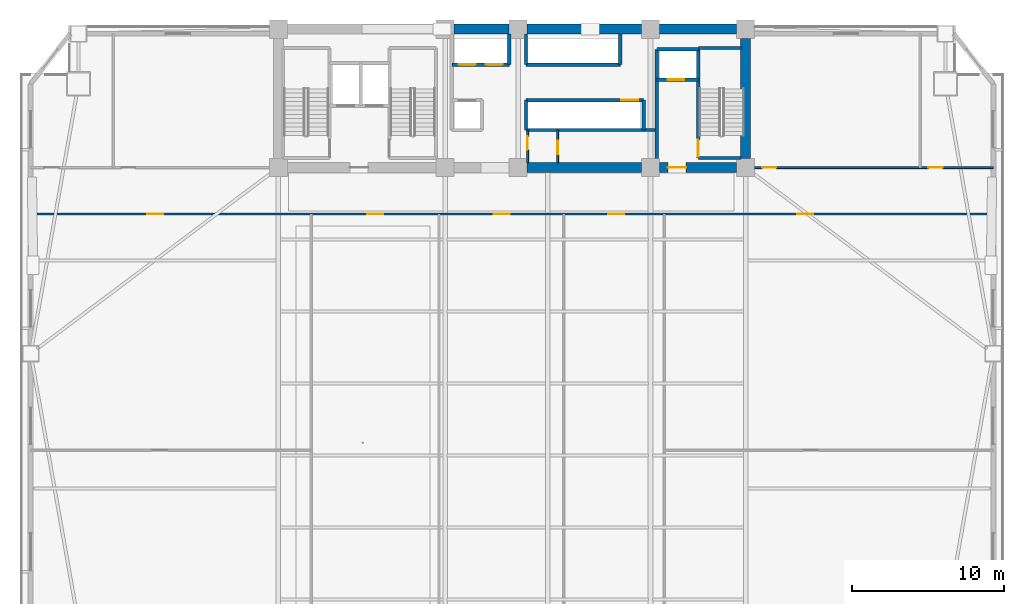
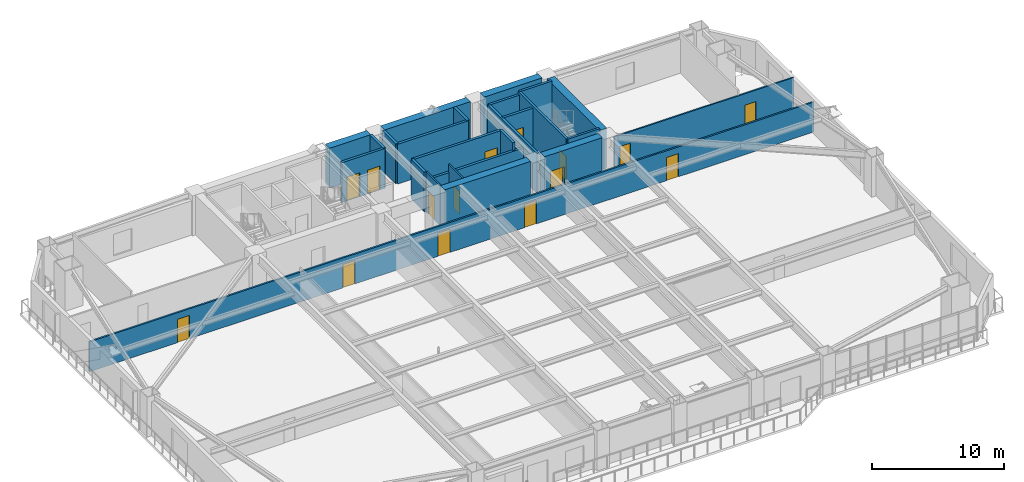
# One storey, part 10 of 17: 25 walls, 15 doors, 15 openings.
"""IFC4 building model written with IfcOpenShell, lengths in metres."""

import ifcopenshell
import ifcopenshell.guid

model = None  # the IFC model being written
_history = None  # IfcOwnerHistory: only IFC2X3 demands one
_inside = {}  # id of a spatial element -> (the spatial element, [elements in it])
_under = {}  # id of a project, library or spatial element -> (it, [spatial elements below it])
_declared = {}  # id of a project -> (the project, [libraries it declares])
_typed = {}  # id of a type object -> (the type object, [elements of that type])
_made_of = {}  # id of a material, layer set ... -> (it, [elements and type objects made of it])


def new_model(schema):
    """Start an empty IFC model of exactly this schema.

    Asked for "IFC4X3", IfcOpenShell would pick the latest addendum, in which some entities
    have other attributes; the version numbers below select the first issue.
    IFC2X3 requires an IfcOwnerHistory on every rooted entity: one is made here for all.
    """
    global model, _history
    if schema == "IFC4X3":
        model = ifcopenshell.file(schema_version=(4, 3, 0, 0))
    else:
        model = ifcopenshell.file(schema=schema)
    _inside.clear()
    _under.clear()
    _declared.clear()
    _typed.clear()
    _made_of.clear()
    _history = None
    if model.schema == "IFC2X3":
        org = make("IfcOrganization", Name="unknown")
        user = make(
            "IfcPersonAndOrganization",
            ThePerson=make("IfcPerson", FamilyName="unknown"),
            TheOrganization=org,
        )
        app = make(
            "IfcApplication",
            ApplicationDeveloper=org,
            Version="unknown",
            ApplicationFullName="unknown",
            ApplicationIdentifier="unknown",
        )
        _history = make(
            "IfcOwnerHistory",
            OwningUser=user,
            OwningApplication=app,
            ChangeAction="ADDED",
            CreationDate=0,
        )
    return model


def make(cls, **values):
    """One entity of the class cls with the attributes given. An attribute that is None is left unset."""
    return model.create_entity(
        cls, **{name: value for name, value in values.items() if value is not None}
    )


def rooted(cls, **values):
    """An entity with a GlobalId (a new one), such as an element, a storey or a relation."""
    return make(cls, GlobalId=ifcopenshell.guid.new(), OwnerHistory=_history, **values)


def si_unit(unit_type, name, prefix=None):
    """IfcSIUnit, for example si_unit("LENGTHUNIT", "METRE", prefix="MILLI")."""
    return make("IfcSIUnit", UnitType=unit_type, Prefix=prefix, Name=name)


def assignment(units):
    """IfcUnitAssignment: the units of a project."""
    return None if units is None else make("IfcUnitAssignment", Units=units)


def point(xyz):
    """IfcCartesianPoint."""
    return None if xyz is None else make("IfcCartesianPoint", Coordinates=xyz)


def direction(xyz):
    """IfcDirection."""
    return None if xyz is None else make("IfcDirection", DirectionRatios=xyz)


def frame(location, z_axis=None, x_axis=None):
    """IfcAxis2Placement3D, a coordinate frame: its origin and axes. An axis left out is left unset."""
    return make(
        "IfcAxis2Placement3D",
        Location=point(location),
        Axis=direction(z_axis),
        RefDirection=direction(x_axis),
    )


def frame_2d(location, x_axis=None):
    """IfcAxis2Placement2D, a coordinate frame in the plane: its origin and x axis."""
    return make(
        "IfcAxis2Placement2D", Location=point(location), RefDirection=direction(x_axis)
    )


def origin():
    """The frame at (0, 0, 0) with its axes left unset."""
    return frame((0.0, 0.0, 0.0))


def place(relative_to, where):
    """IfcLocalPlacement: puts the frame where relative to a parent placement (None: the world)."""
    return make(
        "IfcLocalPlacement", PlacementRelTo=relative_to, RelativePlacement=where
    )


def context(
    kind, dimensions, precision=None, world=None, true_north=None, identifier=None
):
    """IfcGeometricRepresentationContext, for example the 3D "Model" context."""
    return make(
        "IfcGeometricRepresentationContext",
        ContextIdentifier=identifier,
        ContextType=kind,
        CoordinateSpaceDimension=dimensions,
        Precision=precision,
        WorldCoordinateSystem=world,
        TrueNorth=true_north,
    )


def subcontext(parent, identifier, kind, view, scale=None):
    """IfcGeometricRepresentationSubContext, for example "Body" below "Model"."""
    return make(
        "IfcGeometricRepresentationSubContext",
        ContextIdentifier=identifier,
        ContextType=kind,
        ParentContext=parent,
        TargetScale=scale,
        TargetView=view,
    )


def project(units=None, contexts=None):
    """IfcProject with its units and contexts."""
    return rooted(
        "IfcProject",
        Name="project",
        RepresentationContexts=contexts,
        UnitsInContext=assignment(units),
    )


def spatial(cls, under=None, at=None, **own):
    """A site, building, storey or space (cls), placed at a placement, below another one or the project."""
    s = rooted(cls, ObjectPlacement=at, **own)
    if under is not None:
        _under.setdefault(under.id(), (under, []))[1].append(s)
    return s


def profile(cls, at=None, kind="AREA", **sizes):
    """A parametric profile (cls). Its sizes go by their IFC names, for example OverallWidth=200.0."""
    return make(cls, ProfileType=kind, Position=at, **sizes)


def rectangle(**sizes):
    """IfcRectangleProfileDef."""
    return profile("IfcRectangleProfileDef", **sizes)


def extrude(swept, where, along, depth):
    """IfcExtrudedAreaSolid: the profile swept, set in the frame where, extruded along a direction by depth."""
    return make(
        "IfcExtrudedAreaSolid",
        SweptArea=swept,
        Position=where,
        ExtrudedDirection=direction(along),
        Depth=depth,
    )


def shape(context_of_items, identifier, shape_type, items):
    """IfcShapeRepresentation: the items that make up one representation, for example the "Body"."""
    return make(
        "IfcShapeRepresentation",
        ContextOfItems=context_of_items,
        RepresentationIdentifier=identifier,
        RepresentationType=shape_type,
        Items=items,
    )


def source(mapping_origin, context_of_items, identifier, shape_type, items):
    """IfcRepresentationMap: a shape defined once, which mapped items show again and again."""
    return make(
        "IfcRepresentationMap",
        MappingOrigin=mapping_origin,
        MappedRepresentation=shape(context_of_items, identifier, shape_type, items),
    )


def transform(
    local_origin,
    x_axis=None,
    y_axis=None,
    z_axis=None,
    scale=None,
    scale2=None,
    scale3=None,
    uniform=True,
):
    """IfcCartesianTransformationOperator3D, or its non-uniform kind. x_axis, y_axis, z_axis: its Axis1, 2, 3."""
    if uniform:
        return make(
            "IfcCartesianTransformationOperator3D",
            Axis1=direction(x_axis),
            Axis2=direction(y_axis),
            LocalOrigin=point(local_origin),
            Scale=scale,
            Axis3=direction(z_axis),
        )
    return make(
        "IfcCartesianTransformationOperator3DnonUniform",
        Axis1=direction(x_axis),
        Axis2=direction(y_axis),
        LocalOrigin=point(local_origin),
        Scale=scale,
        Axis3=direction(z_axis),
        Scale2=scale2,
        Scale3=scale3,
    )


def mapped(mapping_source, mapping_target):
    """IfcMappedItem: shows the shape of a source again, moved by a transform."""
    return make(
        "IfcMappedItem", MappingSource=mapping_source, MappingTarget=mapping_target
    )


def material(Name=None, Category=None):
    """IfcMaterial."""
    return make("IfcMaterial", Name=Name, Category=Category)


def layer(
    of_material, thickness, ventilated=None, Name=None, Category=None, Priority=None
):
    """IfcMaterialLayer: one layer of a wall or slab, of a material (None: an air gap)."""
    return make(
        "IfcMaterialLayer",
        Material=of_material,
        LayerThickness=thickness,
        IsVentilated=ventilated,
        Name=Name,
        Category=Category,
        Priority=Priority,
    )


def layer_set(layers, Name=None):
    """IfcMaterialLayerSet."""
    return make("IfcMaterialLayerSet", MaterialLayers=layers, LayerSetName=Name)


def made_of(thing, what):
    """Note that an element or type object is made of a material, layer set ...; save() writes the relation."""
    if what is not None:
        _made_of.setdefault(what.id(), (what, []))[1].append(thing)
    return thing


def type_object(cls, material=None, **own):
    """A type object (cls), such as IfcWallType, which elements share."""
    return made_of(rooted(cls, **own), material)


def element(
    cls,
    number,
    at=None,
    inside=None,
    cuts=None,
    type_object=None,
    material=None,
    context=None,
    identifier="Body",
    shape_type=None,
    held_by="IfcProductDefinitionShape",
    body=None,
    shapes=None,
    **own,
):
    """One element of the class cls, such as IfcWall. Its Tag is "e" and its number.

    at: its placement. inside: the storey or other place that contains it. cuts: it is an
    opening in that element (IfcRelVoidsElement). A single representation is given by context,
    identifier, shape_type and body (its items); several are given by shapes. held_by: the class
    of the entity that holds the representations. save() writes the other relations.
    """
    e = rooted(cls, Tag="e%d" % number, ObjectPlacement=at, **own)
    if body is not None:
        shapes = [shape(context, identifier, shape_type, body)]
    if shapes is not None:
        e.Representation = make(held_by, Representations=shapes)
    if inside is not None:
        _inside.setdefault(inside.id(), (inside, []))[1].append(e)
    if cuts is not None:
        rooted(
            "IfcRelVoidsElement", RelatingBuildingElement=cuts, RelatedOpeningElement=e
        )
    if type_object is not None:
        _typed.setdefault(type_object.id(), (type_object, []))[1].append(e)
    return made_of(e, material)


def fill(opening, filler):
    """IfcRelFillsElement: the door or window that sits in an opening."""
    return rooted(
        "IfcRelFillsElement",
        RelatingOpeningElement=opening,
        RelatedBuildingElement=filler,
    )


def aggregate(whole, parts):
    """IfcRelAggregates: a whole, such as a stair, and the parts it consists of."""
    return rooted("IfcRelAggregates", RelatingObject=whole, RelatedObjects=parts)


def save(model, path):
    """Write the relations noted so far, then the file.

    IfcRelAggregates (storeys below a building ...), IfcRelContainedInSpatialStructure (elements
    in a storey), IfcRelDefinesByType, IfcRelAssociatesMaterial and IfcRelDeclares: one each for
    every whole, place, type object, material and project.
    """
    for whole, parts in _under.values():
        aggregate(whole, parts)
    for where, things in _inside.values():
        rooted(
            "IfcRelContainedInSpatialStructure",
            RelatedElements=things,
            RelatingStructure=where,
        )
    for kind, things in _typed.values():
        rooted("IfcRelDefinesByType", RelatedObjects=things, RelatingType=kind)
    for what, things in _made_of.values():
        rooted("IfcRelAssociatesMaterial", RelatedObjects=things, RelatingMaterial=what)
    for by, libraries in _declared.values():
        rooted("IfcRelDeclares", RelatingContext=by, RelatedDefinitions=libraries)
    model.write(path)


model = new_model("IFC4")

# Units and contexts
model_context = context("Model", 3, precision=1e-05, world=origin(), true_north=direction((0.0, 1.0)))
body_context = subcontext(model_context, "Body", "Model", "MODEL_VIEW")
ifc_project = project(units=[si_unit("LENGTHUNIT", "METRE"), si_unit("AREAUNIT", "SQUARE_METRE"), si_unit("VOLUMEUNIT", "CUBIC_METRE"), si_unit("PLANEANGLEUNIT", "RADIAN"), si_unit("MASSUNIT", "GRAM", prefix="KILO")], contexts=[model_context])

# Site, building, storey
site_placement = place(None, origin())
site = spatial("IfcSite", under=ifc_project, at=site_placement, CompositionType="ELEMENT")
building_placement = place(site_placement, origin())
building = spatial("IfcBuilding", under=site, at=building_placement, Name="Giltprow Tower", CompositionType="ELEMENT")
storey_placement = place(building_placement, frame((0.0, 0.0, 53.300048828125)))
storey = spatial("IfcBuildingStorey", under=building, at=storey_placement, Name="L13", CompositionType="ELEMENT", Elevation=53.300048828125)

# Wall, openings, doors
ifc_material_1 = material(Name="Gypsum stud partition", Category="gypsum")
ifc_layer_1 = layer(ifc_material_1, 0.14990234375, Name="Gypsum stud partition")
ifc_layer_set_1 = layer_set([ifc_layer_1], Name="Gypsum stud partition")
wall_type_1 = type_object("IfcWallType", Name="IW-CORR-150", PredefinedType="PARTITIONING", material=ifc_layer_set_1)
wall_1_placement = place(storey_placement, frame((3.570068359375, 34.39990234375, 0.0), z_axis=(0.0, 0.0, 1.0), x_axis=(1.0, 0.0, 0.0)))
wall_1 = element("IfcWall", 1, at=wall_1_placement, inside=storey, type_object=wall_type_1, Name="L13 Office Loop Corridor Wall", PredefinedType="PARTITIONING", context=body_context, shape_type="SweptSolid", body=[
    extrude(rectangle(XDim=63.260009765625, YDim=0.14990234375, at=frame_2d((31.6298828125, 0.0))), origin(), (0.0, 0.0, 1.0), 2.764892578125),
])
opening_1_placement = place(wall_1_placement, frame((7.657958984375, 0.0, 0.0)))
opening_1 = element("IfcOpeningElement", 2, at=opening_1_placement, cuts=wall_1, Name="Opening ID31", PredefinedType="OPENING", context=body_context, shape_type="SweptSolid", body=[
    extrude(rectangle(XDim=1.050048828125, YDim=2.14990234375, at=frame_2d((0.52490234375, 1.074951171875))), frame((0.0, 0.0849609375, 0.0), z_axis=(0.0, -1.0, 0.0), x_axis=(1.0, 0.0, 0.0)), (0.0, 0.0, 1.0), 0.169921875),
])
opening_2_placement = place(wall_1_placement, frame((22.12109375, 0.0, 0.0)))
opening_2 = element("IfcOpeningElement", 3, at=opening_2_placement, cuts=wall_1, Name="Opening ID31", PredefinedType="OPENING", context=body_context, shape_type="SweptSolid", body=[
    extrude(rectangle(XDim=1.050048828125, YDim=2.14990234375, at=frame_2d((0.52490234375, 1.074951171875))), frame((0.0, 0.0849609375, 0.0), z_axis=(0.0, -1.0, 0.0), x_axis=(1.0, 0.0, 0.0)), (0.0, 0.0, 1.0), 0.169921875),
])
opening_3_placement = place(wall_1_placement, frame((30.43701171875, 0.0, 0.0)))
opening_3 = element("IfcOpeningElement", 4, at=opening_3_placement, cuts=wall_1, Name="Opening ID31", PredefinedType="OPENING", context=body_context, shape_type="SweptSolid", body=[
    extrude(rectangle(XDim=1.050048828125, YDim=2.14990234375, at=frame_2d((0.52490234375, 1.074951171875))), frame((0.0, 0.0849609375, 0.0), z_axis=(0.0, -1.0, 0.0), x_axis=(1.0, 0.0, 0.0)), (0.0, 0.0, 1.0), 0.169921875),
])
opening_4_placement = place(wall_1_placement, frame((37.965087890625, 0.0, 0.0)))
opening_4 = element("IfcOpeningElement", 5, at=opening_4_placement, cuts=wall_1, Name="Opening ID31", PredefinedType="OPENING", context=body_context, shape_type="SweptSolid", body=[
    extrude(rectangle(XDim=1.050048828125, YDim=2.14990234375, at=frame_2d((0.52490234375, 1.074951171875))), frame((0.0, 0.0849609375, 0.0), z_axis=(0.0, -1.0, 0.0), x_axis=(1.0, 0.0, 0.0)), (0.0, 0.0, 1.0), 0.169921875),
])
opening_5_placement = place(wall_1_placement, frame((50.367919921875, 0.0, 0.0)))
opening_5 = element("IfcOpeningElement", 6, at=opening_5_placement, cuts=wall_1, Name="Opening ID31", PredefinedType="OPENING", context=body_context, shape_type="SweptSolid", body=[
    extrude(rectangle(XDim=1.050048828125, YDim=2.14990234375, at=frame_2d((0.52490234375, 1.074951171875))), frame((0.0, 0.0849609375, 0.0), z_axis=(0.0, -1.0, 0.0), x_axis=(1.0, 0.0, 0.0)), (0.0, 0.0, 1.0), 0.169921875),
])
ifc_material_2 = material(Name="Engineered timber", Category="wood")
door_type_1 = type_object("IfcDoorType", Name="DR-SUITE-1050", OperationType="SINGLE_SWING_LEFT", PredefinedType="DOOR", material=ifc_material_2)
shared_shape_1 = source(origin(), body_context, "Body", "SweptSolid", [
    extrude(rectangle(XDim=1.050048828125, YDim=2.14990234375, at=frame_2d((0.52490234375, 1.074951171875))), frame((0.0, 0.02490234375, 0.0), z_axis=(0.0, -1.0, 0.0), x_axis=(1.0, 0.0, 0.0)), (0.0, 0.0, 1.0), 0.050048828125),
])
door_1_placement = place(opening_1_placement, origin())
door_1 = element("IfcDoor", 7, at=door_1_placement, inside=storey, type_object=door_type_1, Name="L13 Suite Reception Foyer Door", OperationType="SINGLE_SWING_LEFT", OverallHeight=2.14990234375, OverallWidth=1.050048828125, PredefinedType="DOOR", context=body_context, shape_type="MappedRepresentation", body=[
    mapped(shared_shape_1, transform((0.0, 0.0, 0.0), x_axis=(1.0, 0.0, 0.0), y_axis=(0.0, 1.0, 0.0), z_axis=(0.0, 0.0, 1.0), scale=1.0)),
])
fill(opening_1, door_1)
door_2_placement = place(opening_2_placement, origin())
door_2 = element("IfcDoor", 8, at=door_2_placement, inside=storey, type_object=door_type_1, Name="L13 Brand Gallery Shop 2 Door", OperationType="SINGLE_SWING_LEFT", OverallHeight=2.14990234375, OverallWidth=1.050048828125, PredefinedType="DOOR", context=body_context, shape_type="MappedRepresentation", body=[
    mapped(shared_shape_1, transform((0.0, 0.0, 0.0), x_axis=(1.0, 0.0, 0.0), y_axis=(0.0, 1.0, 0.0), z_axis=(0.0, 0.0, 1.0), scale=1.0)),
])
fill(opening_2, door_2)
door_3_placement = place(opening_3_placement, origin())
door_3 = element("IfcDoor", 9, at=door_3_placement, inside=storey, type_object=door_type_1, Name="L13 Watches Boutique Shop 3 Door", OperationType="SINGLE_SWING_RIGHT", OverallHeight=2.14990234375, OverallWidth=1.050048828125, PredefinedType="DOOR", context=body_context, shape_type="MappedRepresentation", body=[
    mapped(shared_shape_1, transform((0.0, 0.0, 0.0), x_axis=(1.0, 0.0, 0.0), y_axis=(0.0, 1.0, 0.0), z_axis=(0.0, 0.0, 1.0), scale=1.0)),
])
fill(opening_3, door_3)
door_4_placement = place(opening_4_placement, origin())
door_4 = element("IfcDoor", 10, at=door_4_placement, inside=storey, type_object=door_type_1, Name="L13 Apparel Showroom Shop 4 Door", OperationType="SINGLE_SWING_LEFT", OverallHeight=2.14990234375, OverallWidth=1.050048828125, PredefinedType="DOOR", context=body_context, shape_type="MappedRepresentation", body=[
    mapped(shared_shape_1, transform((0.0, 0.0, 0.0), x_axis=(1.0, 0.0, 0.0), y_axis=(0.0, 1.0, 0.0), z_axis=(0.0, 0.0, 1.0), scale=1.0)),
])
fill(opening_4, door_4)
door_5_placement = place(opening_5_placement, origin())
door_5 = element("IfcDoor", 11, at=door_5_placement, inside=storey, type_object=door_type_1, Name="L13 Suite Reception Foyer Door", OperationType="SINGLE_SWING_RIGHT", OverallHeight=2.14990234375, OverallWidth=1.050048828125, PredefinedType="DOOR", context=body_context, shape_type="MappedRepresentation", body=[
    mapped(shared_shape_1, transform((0.0, 0.0, 0.0), x_axis=(1.0, 0.0, 0.0), y_axis=(0.0, 1.0, 0.0), z_axis=(0.0, 0.0, 1.0), scale=1.0)),
])
fill(opening_5, door_5)

# Wall, opening, door
ifc_material_3 = material(Name="Concrete C40", Category="concrete")
ifc_layer_2 = layer(ifc_material_3, 0.219970703125, Name="Concrete C40")
ifc_layer_set_2 = layer_set([ifc_layer_2], Name="Concrete C40")
wall_type_2 = type_object("IfcWallType", Name="IW-SHAFT-220", PredefinedType="SOLIDWALL", material=ifc_layer_set_2)
wall_2_placement = place(storey_placement, frame((44.719970703125, 43.219970703125, 0.0), z_axis=(0.0, 0.0, 1.0), x_axis=(1.0, 0.0, 0.0)))
wall_2 = element("IfcWall", 12, at=wall_2_placement, inside=storey, type_object=wall_type_2, Name="L13 FFL2 Front Shaft Wall", PredefinedType="SOLIDWALL", context=body_context, shape_type="SweptSolid", body=[
    extrude(rectangle(XDim=2.719970703125, YDim=0.219970703125, at=frame_2d((1.35986328125, 0.0))), origin(), (0.0, 0.0, 1.0), 3.679931640625),
])
opening_6_placement = place(wall_2_placement, frame((0.699951171875, 0.0, 0.0)))
opening_6 = element("IfcOpeningElement", 13, at=opening_6_placement, cuts=wall_2, Name="Opening LD-11", PredefinedType="OPENING", context=body_context, shape_type="SweptSolid", body=[
    extrude(rectangle(XDim=1.10009765625, YDim=2.199951171875, at=frame_2d((0.550048828125, 1.10009765625))), frame((0.0, 0.119873046875, 0.0), z_axis=(0.0, -1.0, 0.0), x_axis=(1.0, 0.0, 0.0)), (0.0, 0.0, 1.0), 0.239990234375),
])
ifc_material_4 = material(Name="Stainless steel", Category="steel")
door_type_2 = type_object("IfcDoorType", Name="DR-LIFT-LD1100", OperationType="SLIDING_TO_LEFT", PredefinedType="DOOR", material=ifc_material_4)
shared_shape_2 = source(origin(), body_context, "Body", "SweptSolid", [
    extrude(rectangle(XDim=1.10009765625, YDim=2.199951171875, at=frame_2d((0.550048828125, 1.10009765625))), frame((0.0, 0.02490234375, 0.0), z_axis=(0.0, -1.0, 0.0), x_axis=(1.0, 0.0, 0.0)), (0.0, 0.0, 1.0), 0.050048828125),
])
door_6_placement = place(opening_6_placement, origin())
door_6 = element("IfcDoor", 14, at=door_6_placement, inside=storey, type_object=door_type_2, Name="L13 FFL2 Landing Door", OperationType="SLIDING_TO_LEFT", OverallHeight=2.199951171875, OverallWidth=1.10009765625, PredefinedType="DOOR", context=body_context, shape_type="MappedRepresentation", body=[
    mapped(shared_shape_2, transform((0.0, 0.0, 0.0), x_axis=(1.0, 0.0, 0.0), y_axis=(0.0, 1.0, 0.0), z_axis=(0.0, 0.0, 1.0), scale=1.0)),
])
fill(opening_6, door_6)

# Walls
wall_3_placement = place(storey_placement, frame((44.719970703125, 45.219970703125, 0.0), z_axis=(0.0, 0.0, 1.0), x_axis=(1.0, 0.0, 0.0)))
element("IfcWall", 15, at=wall_3_placement, inside=storey, type_object=wall_type_2, Name="L13 FFL2 Back Shaft Wall", PredefinedType="SOLIDWALL", context=body_context, shape_type="SweptSolid", body=[
    extrude(rectangle(XDim=2.719970703125, YDim=0.219970703125, at=frame_2d((1.35986328125, 0.0))), origin(), (0.0, 0.0, 1.0), 3.679931640625),
])
wall_4_placement = place(storey_placement, frame((44.719970703125, 37.7548828125, 0.0), z_axis=(0.0, 0.0, 1.0), x_axis=(0.0, 1.0, 0.0)))
element("IfcWall", 16, at=wall_4_placement, inside=storey, type_object=wall_type_2, Name="L13 East Firefighting Lobby West Wall", PredefinedType="SOLIDWALL", context=body_context, shape_type="SweptSolid", body=[
    extrude(rectangle(XDim=7.465087890625, YDim=0.219970703125, at=frame_2d((3.732421875, 0.0))), origin(), (0.0, 0.0, 1.0), 3.679931640625),
])

# Wall, openings, doors
wall_5_placement = place(storey_placement, frame((31.25, 44.219970703125, 0.0), z_axis=(0.0, 0.0, 1.0), x_axis=(1.0, 0.0, 0.0)))
wall_5 = element("IfcWall", 17, at=wall_5_placement, inside=storey, type_object=wall_type_2, Name="L13 North West Lift Shaft Front Wall", PredefinedType="SOLIDWALL", context=body_context, shape_type="SweptSolid", body=[
    extrude(rectangle(XDim=3.77001953125, YDim=0.219970703125, at=frame_2d((1.885009765625, 0.0))), origin(), (0.0, 0.0, 1.0), 3.679931640625),
])
opening_7_placement = place(wall_5_placement, frame((0.4599609375, 0.0, 0.0)))
opening_7 = element("IfcOpeningElement", 18, at=opening_7_placement, cuts=wall_5, Name="Opening LD-11", PredefinedType="OPENING", context=body_context, shape_type="SweptSolid", body=[
    extrude(rectangle(XDim=1.10009765625, YDim=2.199951171875, at=frame_2d((0.550048828125, 1.10009765625))), frame((0.0, 0.119873046875, 0.0), z_axis=(0.0, -1.0, 0.0), x_axis=(1.0, 0.0, 0.0)), (0.0, 0.0, 1.0), 0.239990234375),
])
opening_8_placement = place(wall_5_placement, frame((2.239990234375, 0.0, 0.0)))
opening_8 = element("IfcOpeningElement", 19, at=opening_8_placement, cuts=wall_5, Name="Opening LD-11", PredefinedType="OPENING", context=body_context, shape_type="SweptSolid", body=[
    extrude(rectangle(XDim=1.10009765625, YDim=2.199951171875, at=frame_2d((0.550048828125, 1.10009765625))), frame((0.0, 0.119873046875, 0.0), z_axis=(0.0, -1.0, 0.0), x_axis=(1.0, 0.0, 0.0)), (0.0, 0.0, 1.0), 0.239990234375),
])
door_7_placement = place(opening_7_placement, origin())
door_7 = element("IfcDoor", 20, at=door_7_placement, inside=storey, type_object=door_type_2, Name="L13 PL-L1 Landing Door", OperationType="SLIDING_TO_LEFT", OverallHeight=2.199951171875, OverallWidth=1.10009765625, PredefinedType="DOOR", context=body_context, shape_type="MappedRepresentation", body=[
    mapped(shared_shape_2, transform((0.0, 0.0, 0.0), x_axis=(1.0, 0.0, 0.0), y_axis=(0.0, 1.0, 0.0), z_axis=(0.0, 0.0, 1.0), scale=1.0)),
])
fill(opening_7, door_7)
door_8_placement = place(opening_8_placement, origin())
door_8 = element("IfcDoor", 21, at=door_8_placement, inside=storey, type_object=door_type_2, Name="L13 PL-L2 Landing Door", OperationType="SLIDING_TO_LEFT", OverallHeight=2.199951171875, OverallWidth=1.10009765625, PredefinedType="DOOR", context=body_context, shape_type="MappedRepresentation", body=[
    mapped(shared_shape_2, transform((0.0, 0.0, 0.0), x_axis=(1.0, 0.0, 0.0), y_axis=(0.0, 1.0, 0.0), z_axis=(0.0, 0.0, 1.0), scale=1.0)),
])
fill(opening_8, door_8)

# Walls
wall_6_placement = place(storey_placement, frame((36.1201171875, 44.219970703125, 0.0), z_axis=(0.0, 0.0, 1.0), x_axis=(1.0, 0.0, 0.0)))
element("IfcWall", 22, at=wall_6_placement, inside=storey, type_object=wall_type_2, Name="L13 North East Lift Shaft Front Wall", PredefinedType="SOLIDWALL", context=body_context, shape_type="SweptSolid", body=[
    extrude(rectangle(XDim=6.199951171875, YDim=0.219970703125, at=frame_2d((3.10009765625, 0.0))), origin(), (0.0, 0.0, 1.0), 3.679931640625),
])
for number, where, z_axis, x_axis, name in (
    (23, (35.02001953125, 44.219970703125, 0.0), (0.0, 0.0, 1.0), (0.0, 1.0, 0.0), "L13 North West Lift Shaft East Closure"),
    (24, (36.1201171875, 44.219970703125, 0.0), (0.0, 0.0, 1.0), (0.0, 1.0, 0.0), "L13 North East Lift Shaft West Closure"),
    (25, (42.320068359375, 44.219970703125, 0.0), (0.0, 0.0, 1.0), (0.0, 1.0, 0.0), "L13 North East Lift Shaft East Closure"),
):
    element("IfcWall", number, at=place(storey_placement, frame(where, z_axis=z_axis, x_axis=x_axis)), inside=storey, type_object=wall_type_2, Name=name, PredefinedType="SOLIDWALL", context=body_context, shape_type="SweptSolid", body=[
        extrude(rectangle(XDim=2.025146484375, YDim=0.219970703125, at=frame_2d((1.0126953125, 0.0))), origin(), (0.0, 0.0, 1.0), 3.679931640625),
    ])

# Wall, opening, door
wall_7_placement = place(storey_placement, frame((36.1201171875, 41.8798828125, 0.0), z_axis=(0.0, 0.0, 1.0), x_axis=(1.0, 0.0, 0.0)))
wall_7 = element("IfcWall", 26, at=wall_7_placement, inside=storey, type_object=wall_type_2, Name="L13 South East Lift Shaft Front Wall", PredefinedType="SOLIDWALL", context=body_context, shape_type="SweptSolid", body=[
    extrude(rectangle(XDim=7.72998046875, YDim=0.219970703125, at=frame_2d((3.864990234375, 0.0))), origin(), (0.0, 0.0, 1.0), 3.679931640625),
])
opening_9_placement = place(wall_7_placement, frame((6.260009765625, 0.0, 0.0)))
opening_9 = element("IfcOpeningElement", 27, at=opening_9_placement, cuts=wall_7, Name="Opening LD-11", PredefinedType="OPENING", context=body_context, shape_type="SweptSolid", body=[
    extrude(rectangle(XDim=1.10009765625, YDim=2.199951171875, at=frame_2d((0.550048828125, 1.10009765625))), frame((0.0, 0.119873046875, 0.0), z_axis=(0.0, -1.0, 0.0), x_axis=(1.0, 0.0, 0.0)), (0.0, 0.0, 1.0), 0.239990234375),
])
door_9_placement = place(opening_9_placement, origin())
door_9 = element("IfcDoor", 28, at=door_9_placement, inside=storey, type_object=door_type_2, Name="L13 PL-L4 Landing Door", OperationType="SLIDING_TO_LEFT", OverallHeight=2.199951171875, OverallWidth=1.10009765625, PredefinedType="DOOR", context=body_context, shape_type="MappedRepresentation", body=[
    mapped(shared_shape_2, transform((0.0, 0.0, 0.0), x_axis=(1.0, 0.0, 0.0), y_axis=(0.0, 1.0, 0.0), z_axis=(0.0, 0.0, 1.0), scale=1.0)),
])
fill(opening_9, door_9)

# Walls
wall_8_placement = place(storey_placement, frame((36.1201171875, 39.919921875, 0.0), z_axis=(0.0, 0.0, 1.0), x_axis=(1.0, 0.0, 0.0)))
element("IfcWall", 29, at=wall_8_placement, inside=storey, type_object=wall_type_2, Name="L13 Express South Shaft Back Wall", PredefinedType="SOLIDWALL", context=body_context, shape_type="SweptSolid", body=[
    extrude(rectangle(XDim=8.599853515625, YDim=0.219970703125, at=frame_2d((4.2998046875, 0.0))), origin(), (0.0, 0.0, 1.0), 2.96484375),
])
for number, where, z_axis, x_axis, name in (
    (30, (36.1201171875, 39.919921875, 0.0), (0.0, 0.0, 1.0), (0.0, 1.0, 0.0), "L13 Express South Shaft West Closure"),
    (31, (43.85009765625, 39.919921875, 0.0), (0.0, 0.0, 1.0), (0.0, 1.0, 0.0), "L13 Lift Bank South-East Closure"),
):
    element("IfcWall", number, at=place(storey_placement, frame(where, z_axis=z_axis, x_axis=x_axis)), inside=storey, type_object=wall_type_2, Name=name, PredefinedType="SOLIDWALL", context=body_context, shape_type="SweptSolid", body=[
        extrude(rectangle(XDim=1.9599609375, YDim=0.219970703125, at=frame_2d((0.97998046875, 0.0))), origin(), (0.0, 0.0, 1.0), 3.679931640625),
    ])

# Wall, opening, door
ifc_layer_3 = layer(ifc_material_3, 0.199951171875, Name="Concrete C40")
ifc_layer_set_3 = layer_set([ifc_layer_3], Name="Concrete C40")
wall_type_3 = type_object("IfcWallType", Name="IW-STAIR-200", PredefinedType="SOLIDWALL", material=ifc_layer_set_3)
wall_9_placement = place(storey_placement, frame((47.43994140625, 38.070068359375, 0.0), z_axis=(0.0, 0.0, 1.0), x_axis=(0.0, 1.0, 0.0)))
wall_9 = element("IfcWall", 32, at=wall_9_placement, inside=storey, type_object=wall_type_3, Name="L13 Stair ST-3 West Bearing Wall", PredefinedType="SOLIDWALL", context=body_context, shape_type="SweptSolid", body=[
    extrude(rectangle(XDim=7.25, YDim=0.199951171875, at=frame_2d((3.625, 0.0))), origin(), (0.0, 0.0, 1.0), 3.89990234375),
])
opening_10_placement = place(wall_9_placement, frame((0.110107421875, 0.0, 0.0)))
opening_10 = element("IfcOpeningElement", 33, at=opening_10_placement, cuts=wall_9, Name="Opening ID33", PredefinedType="OPENING", context=body_context, shape_type="SweptSolid", body=[
    extrude(rectangle(XDim=1.10009765625, YDim=2.14990234375, at=frame_2d((0.550048828125, 1.074951171875))), frame((0.0, 0.10986328125, 0.0), z_axis=(0.0, -1.0, 0.0), x_axis=(1.0, 0.0, 0.0)), (0.0, 0.0, 1.0), 0.219970703125),
])
ifc_material_5 = material(Name="Steel fire leaf", Category="steel")
door_type_3 = type_object("IfcDoorType", Name="DR-STAIR-1100", OperationType="SINGLE_SWING_LEFT", PredefinedType="DOOR", material=ifc_material_5)
shared_shape_3 = source(origin(), body_context, "Body", "SweptSolid", [
    extrude(rectangle(XDim=1.10009765625, YDim=2.14990234375, at=frame_2d((0.550048828125, 1.074951171875))), frame((0.0, 0.02490234375, 0.0), z_axis=(0.0, -1.0, 0.0), x_axis=(1.0, 0.0, 0.0)), (0.0, 0.0, 1.0), 0.050048828125),
])
door_10_placement = place(opening_10_placement, origin())
door_10 = element("IfcDoor", 34, at=door_10_placement, inside=storey, type_object=door_type_3, Name="L13 Stair ST-3 Fire Door", OperationType="SINGLE_SWING_RIGHT", OverallHeight=2.14990234375, OverallWidth=1.10009765625, PredefinedType="DOOR", context=body_context, shape_type="MappedRepresentation", body=[
    mapped(shared_shape_3, transform((0.0, 0.0, 0.0), x_axis=(1.0, 0.0, 0.0), y_axis=(0.0, 1.0, 0.0), z_axis=(0.0, 0.0, 1.0), scale=1.0)),
])
fill(opening_10, door_10)

# Walls
for number, where, z_axis, x_axis, name in (
    (35, (47.43994140625, 45.320068359375, 0.0), (0.0, 0.0, 1.0), (1.0, 0.0, 0.0), "L13 Stair ST-3 North Bearing Wall"),
    (36, (47.43994140625, 38.070068359375, 0.0), (0.0, 0.0, 1.0), (1.0, 0.0, 0.0), "L13 Stair ST-3 South Bearing Wall"),
):
    element("IfcWall", number, at=place(storey_placement, frame(where, z_axis=z_axis, x_axis=x_axis)), inside=storey, type_object=wall_type_3, Name=name, PredefinedType="SOLIDWALL", context=body_context, shape_type="SweptSolid", body=[
        extrude(rectangle(XDim=2.80517578125, YDim=0.199951171875, at=frame_2d((1.402587890625, 0.0))), origin(), (0.0, 0.0, 1.0), 3.89990234375),
    ])

# Wall, opening, door
ifc_material_6 = material(Name="Concrete C30", Category="concrete")
ifc_layer_4 = layer(ifc_material_6, 0.1298828125, Name="Concrete C30")
ifc_layer_set_4 = layer_set([ifc_layer_4], Name="Concrete C30")
wall_type_4 = type_object("IfcWallType", Name="IW-WET-130", PredefinedType="PARTITIONING", material=ifc_layer_set_4)
wall_10_placement = place(storey_placement, frame((36.219970703125, 37.7548828125, 0.0), z_axis=(0.0, 0.0, 1.0), x_axis=(0.0, 1.0, 0.0)))
wall_10 = element("IfcWall", 37, at=wall_10_placement, inside=storey, type_object=wall_type_4, Name="L13 Core Suite West Wall", PredefinedType="PARTITIONING", context=body_context, shape_type="SweptSolid", body=[
    extrude(rectangle(XDim=2.1650390625, YDim=0.1298828125, at=frame_2d((1.08251953125, 0.0))), origin(), (0.0, 0.0, 1.0), 3.679931640625),
])
opening_11_placement = place(wall_10_placement, frame((0.85498046875, 0.0, 0.0)))
opening_11 = element("IfcOpeningElement", 38, at=opening_11_placement, cuts=wall_10, Name="Opening ID35", PredefinedType="OPENING", context=body_context, shape_type="SweptSolid", body=[
    extrude(rectangle(XDim=0.89990234375, YDim=2.10009765625, at=frame_2d((0.449951171875, 1.050048828125))), frame((0.0, 0.074951171875, 0.0), z_axis=(0.0, -1.0, 0.0), x_axis=(1.0, 0.0, 0.0)), (0.0, 0.0, 1.0), 0.14990234375),
])
door_type_4 = type_object("IfcDoorType", Name="DR-SHAFT-900", OperationType="SINGLE_SWING_LEFT", PredefinedType="DOOR", material=ifc_material_5)
shared_shape_4 = source(origin(), body_context, "Body", "SweptSolid", [
    extrude(rectangle(XDim=0.89990234375, YDim=2.10009765625, at=frame_2d((0.449951171875, 1.050048828125))), frame((0.0, 0.02490234375, 0.0), z_axis=(0.0, -1.0, 0.0), x_axis=(1.0, 0.0, 0.0)), (0.0, 0.0, 1.0), 0.050048828125),
])
door_11_placement = place(opening_11_placement, origin())
door_11 = element("IfcDoor", 39, at=door_11_placement, inside=storey, type_object=door_type_4, Name="L13 Core Accessible WC Door", OperationType="SINGLE_SWING_RIGHT", OverallHeight=2.10009765625, OverallWidth=0.89990234375, PredefinedType="DOOR", context=body_context, shape_type="MappedRepresentation", body=[
    mapped(shared_shape_4, transform((0.0, 0.0, 0.0), x_axis=(1.0, 0.0, 0.0), y_axis=(0.0, 1.0, 0.0), z_axis=(0.0, 0.0, 1.0), scale=1.0)),
])
fill(opening_11, door_11)

wall_11_placement = place(storey_placement, frame((38.199951171875, 37.7548828125, 0.0), z_axis=(0.0, 0.0, 1.0), x_axis=(0.0, 1.0, 0.0)))
wall_11 = element("IfcWall", 40, at=wall_11_placement, inside=storey, type_object=wall_type_4, Name="L13 Core Suite Asymmetric Wall", PredefinedType="PARTITIONING", context=body_context, shape_type="SweptSolid", body=[
    extrude(rectangle(XDim=2.1650390625, YDim=0.1298828125, at=frame_2d((1.08251953125, 0.0))), origin(), (0.0, 0.0, 1.0), 3.679931640625),
])
opening_12_placement = place(wall_11_placement, frame((0.56494140625, 0.0, 0.0)))
opening_12 = element("IfcOpeningElement", 41, at=opening_12_placement, cuts=wall_11, Name="Opening ID35", PredefinedType="OPENING", context=body_context, shape_type="SweptSolid", body=[
    extrude(rectangle(XDim=0.89990234375, YDim=2.10009765625, at=frame_2d((0.449951171875, 1.050048828125))), frame((0.0, 0.074951171875, 0.0), z_axis=(0.0, -1.0, 0.0), x_axis=(1.0, 0.0, 0.0)), (0.0, 0.0, 1.0), 0.14990234375),
])
door_12_placement = place(opening_12_placement, origin())
door_12 = element("IfcDoor", 42, at=door_12_placement, inside=storey, type_object=door_type_4, Name="L13 Core Mail Room Door", OperationType="SINGLE_SWING_RIGHT", OverallHeight=2.10009765625, OverallWidth=0.89990234375, PredefinedType="DOOR", context=body_context, shape_type="MappedRepresentation", body=[
    mapped(shared_shape_4, transform((0.0, 0.0, 0.0), x_axis=(1.0, 0.0, 0.0), y_axis=(0.0, 1.0, 0.0), z_axis=(0.0, 0.0, 1.0), scale=1.0)),
])
fill(opening_12, door_12)

# Wall, openings, doors
wall_12_placement = place(storey_placement, frame((51.14990234375, 37.449951171875, 0.0), z_axis=(0.0, 0.0, 1.0), x_axis=(1.0, 0.0, 0.0)))
wall_12 = element("IfcWall", 43, at=wall_12_placement, inside=storey, type_object=wall_type_4, Name="L13 NE Wing South Wall", PredefinedType="PARTITIONING", context=body_context, shape_type="SweptSolid", body=[
    extrude(rectangle(XDim=15.68017578125, YDim=0.1298828125, at=frame_2d((7.840087890625, 0.0))), origin(), (0.0, 0.0, 1.0), 3.1650390625),
])
opening_13_placement = place(wall_12_placement, frame((0.5, 0.0, 0.0)))
opening_13 = element("IfcOpeningElement", 44, at=opening_13_placement, cuts=wall_12, Name="Opening ID15", PredefinedType="OPENING", context=body_context, shape_type="SweptSolid", body=[
    extrude(rectangle(XDim=0.89990234375, YDim=2.10009765625, at=frame_2d((0.449951171875, 1.050048828125))), frame((0.0, 0.074951171875, 0.0), z_axis=(0.0, -1.0, 0.0), x_axis=(1.0, 0.0, 0.0)), (0.0, 0.0, 1.0), 0.14990234375),
])
opening_14_placement = place(wall_12_placement, frame((11.416015625, 0.0, 0.0)))
opening_14 = element("IfcOpeningElement", 45, at=opening_14_placement, cuts=wall_12, Name="Opening ID11", PredefinedType="OPENING", context=body_context, shape_type="SweptSolid", body=[
    extrude(rectangle(XDim=0.949951171875, YDim=2.10009765625, at=frame_2d((0.47509765625, 1.050048828125))), frame((0.0, 0.074951171875, 0.0), z_axis=(0.0, -1.0, 0.0), x_axis=(1.0, 0.0, 0.0)), (0.0, 0.0, 1.0), 0.14990234375),
])
door_type_5 = type_object("IfcDoorType", Name="DR-WC-900", OperationType="SINGLE_SWING_LEFT", PredefinedType="DOOR", material=ifc_material_2)
door_13_placement = place(opening_13_placement, origin())
door_13 = element("IfcDoor", 46, at=door_13_placement, inside=storey, type_object=door_type_5, Name="L13 East Wing Washroom Door", OperationType="SINGLE_SWING_RIGHT", OverallHeight=2.10009765625, OverallWidth=0.89990234375, PredefinedType="DOOR", context=body_context, shape_type="MappedRepresentation", body=[
    mapped(shared_shape_4, transform((0.0, 0.0, 0.0), x_axis=(1.0, 0.0, 0.0), y_axis=(0.0, 1.0, 0.0), z_axis=(0.0, 0.0, 1.0), scale=1.0)),
])
fill(opening_13, door_13)
door_type_6 = type_object("IfcDoorType", Name="DR-ROOM-950", OperationType="SINGLE_SWING_RIGHT", PredefinedType="DOOR", material=ifc_material_2)
shared_shape_5 = source(origin(), body_context, "Body", "SweptSolid", [
    extrude(rectangle(XDim=0.949951171875, YDim=2.10009765625, at=frame_2d((0.47509765625, 1.050048828125))), frame((0.0, 0.02490234375, 0.0), z_axis=(0.0, -1.0, 0.0), x_axis=(1.0, 0.0, 0.0)), (0.0, 0.0, 1.0), 0.050048828125),
])
door_14_placement = place(opening_14_placement, origin())
door_14 = element("IfcDoor", 47, at=door_14_placement, inside=storey, type_object=door_type_6, Name="L13 East Tenant Archive Store Door", OperationType="SINGLE_SWING_LEFT", OverallHeight=2.10009765625, OverallWidth=0.949951171875, PredefinedType="DOOR", context=body_context, shape_type="MappedRepresentation", body=[
    mapped(shared_shape_5, transform((0.0, 0.0, 0.0), x_axis=(1.0, 0.0, 0.0), y_axis=(0.0, 1.0, 0.0), z_axis=(0.0, 0.0, 1.0), scale=1.0)),
])
fill(opening_14, door_14)

# Walls
ifc_material_7 = material(Name="Concrete C60", Category="concrete")
ifc_layer_5 = layer(ifc_material_7, 0.64990234375, Name="Concrete C60")
ifc_layer_set_5 = layer_set([ifc_layer_5], Name="Concrete C60")
wall_type_5 = type_object("IfcWallType", Name="SW-EXT-650-C60", PredefinedType="SHEAR", material=ifc_layer_set_5)
wall_13_placement = place(storey_placement, frame((31.39990234375, 46.550048828125, 0.0), z_axis=(0.0, 0.0, 1.0), x_axis=(1.0, 0.0, 0.0)))
element("IfcWall", 48, at=wall_13_placement, inside=storey, type_object=wall_type_5, Name="L13 North Rear Core Shear Wall 2", PredefinedType="SHEAR", context=body_context, shape_type="SweptSolid", body=[
    extrude(rectangle(XDim=3.60009765625, YDim=0.64990234375, at=frame_2d((1.800048828125, 0.0))), origin(), (0.0, 0.0, 1.0), 3.679931640625),
])
wall_14_placement = place(storey_placement, frame((36.199951171875, 46.550048828125, 0.0), z_axis=(0.0, 0.0, 1.0), x_axis=(1.0, 0.0, 0.0)))
element("IfcWall", 49, at=wall_14_placement, inside=storey, type_object=wall_type_5, Name="L13 North Rear Core Shear Wall 3", PredefinedType="SHEAR", context=body_context, shape_type="SweptSolid", body=[
    extrude(rectangle(XDim=7.5, YDim=0.64990234375, at=frame_2d((3.75, 0.0))), origin(), (0.0, 0.0, 1.0), 3.679931640625),
])
wall_15_placement = place(storey_placement, frame((44.89990234375, 46.550048828125, 0.0), z_axis=(0.0, 0.0, 1.0), x_axis=(1.0, 0.0, 0.0)))
element("IfcWall", 50, at=wall_15_placement, inside=storey, type_object=wall_type_5, Name="L13 North Rear Core Shear Wall 4", PredefinedType="SHEAR", context=body_context, shape_type="SweptSolid", body=[
    extrude(rectangle(XDim=5.050048828125, YDim=0.64990234375, at=frame_2d((2.52490234375, 0.0))), origin(), (0.0, 0.0, 1.0), 3.679931640625),
])
ifc_layer_6 = layer(ifc_material_7, 0.64990234375, Name="Concrete C60")
ifc_layer_set_6 = layer_set([ifc_layer_6], Name="Concrete C60")
wall_type_6 = type_object("IfcWallType", Name="SW-INT-650-C60", PredefinedType="SHEAR", material=ifc_layer_set_6)
wall_16_placement = place(storey_placement, frame((36.199951171875, 37.449951171875, 0.0), z_axis=(0.0, 0.0, 1.0), x_axis=(1.0, 0.0, 0.0)))
element("IfcWall", 51, at=wall_16_placement, inside=storey, type_object=wall_type_6, Name="L13 South Rear Core Shear Wall Mid-East", PredefinedType="SHEAR", context=body_context, shape_type="SweptSolid", body=[
    extrude(rectangle(XDim=7.5, YDim=0.64990234375, at=frame_2d((3.75, 0.0))), origin(), (0.0, 0.0, 1.0), 3.679931640625),
])

# Wall, opening, door
wall_17_placement = place(storey_placement, frame((44.89990234375, 37.449951171875, 0.0), z_axis=(0.0, 0.0, 1.0), x_axis=(1.0, 0.0, 0.0)))
wall_17 = element("IfcWall", 52, at=wall_17_placement, inside=storey, type_object=wall_type_6, Name="L13 South Rear Core Shear Wall East", PredefinedType="SHEAR", context=body_context, shape_type="SweptSolid", body=[
    extrude(rectangle(XDim=5.050048828125, YDim=0.64990234375, at=frame_2d((2.52490234375, 0.0))), origin(), (0.0, 0.0, 1.0), 3.679931640625),
])
opening_15_placement = place(wall_17_placement, frame((0.550048828125, 0.0, 0.0)))
opening_15 = element("IfcOpeningElement", 53, at=opening_15_placement, cuts=wall_17, Name="Opening ID19", PredefinedType="OPENING", context=body_context, shape_type="SweptSolid", body=[
    extrude(rectangle(XDim=1.199951171875, YDim=2.14990234375, at=frame_2d((0.60009765625, 1.074951171875))), frame((0.0, 0.3349609375, 0.0), z_axis=(0.0, -1.0, 0.0), x_axis=(1.0, 0.0, 0.0)), (0.0, 0.0, 1.0), 0.669921875),
])
door_type_7 = type_object("IfcDoorType", Name="DR-FFLOBBY-1200", OperationType="SINGLE_SWING_RIGHT", PredefinedType="DOOR", material=ifc_material_5)
shared_shape_6 = source(origin(), body_context, "Body", "SweptSolid", [
    extrude(rectangle(XDim=1.199951171875, YDim=2.14990234375, at=frame_2d((0.60009765625, 1.074951171875))), frame((0.0, 0.02490234375, 0.0), z_axis=(0.0, -1.0, 0.0), x_axis=(1.0, 0.0, 0.0)), (0.0, 0.0, 1.0), 0.050048828125),
])
door_15_placement = place(opening_15_placement, origin())
door_15 = element("IfcDoor", 54, at=door_15_placement, inside=storey, type_object=door_type_7, Name="L13 East Firefighting Lobby Entry Door", OperationType="SINGLE_SWING_RIGHT", OverallHeight=2.14990234375, OverallWidth=1.199951171875, PredefinedType="DOOR", context=body_context, shape_type="MappedRepresentation", body=[
    mapped(shared_shape_6, transform((0.0, 0.0, 0.0), x_axis=(1.0, 0.0, 0.0), y_axis=(0.0, 1.0, 0.0), z_axis=(0.0, 0.0, 1.0), scale=1.0)),
])
fill(opening_15, door_15)

# Wall
wall_18_placement = place(storey_placement, frame((50.550048828125, 38.050048828125, 0.0), z_axis=(0.0, 0.0, 1.0), x_axis=(0.0, 1.0, 0.0)))
element("IfcWall", 55, at=wall_18_placement, inside=storey, type_object=wall_type_6, Name="L13 E Rear Core Shear Wall", PredefinedType="SHEAR", context=body_context, shape_type="SweptSolid", body=[
    extrude(rectangle(XDim=7.89990234375, YDim=0.64990234375, at=frame_2d((3.949951171875, 0.0))), origin(), (0.0, 0.0, 1.0), 3.679931640625),
])

save(model, "model.ifc")
